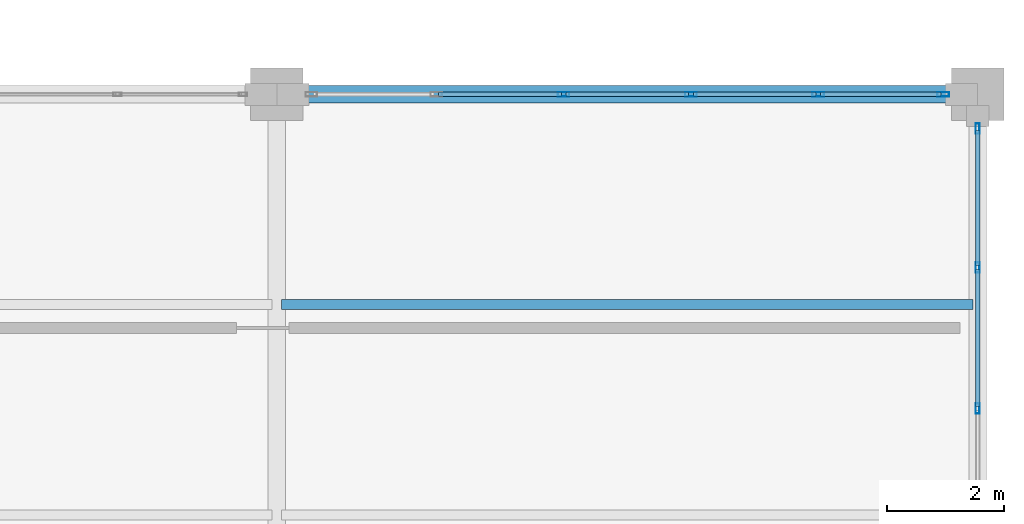
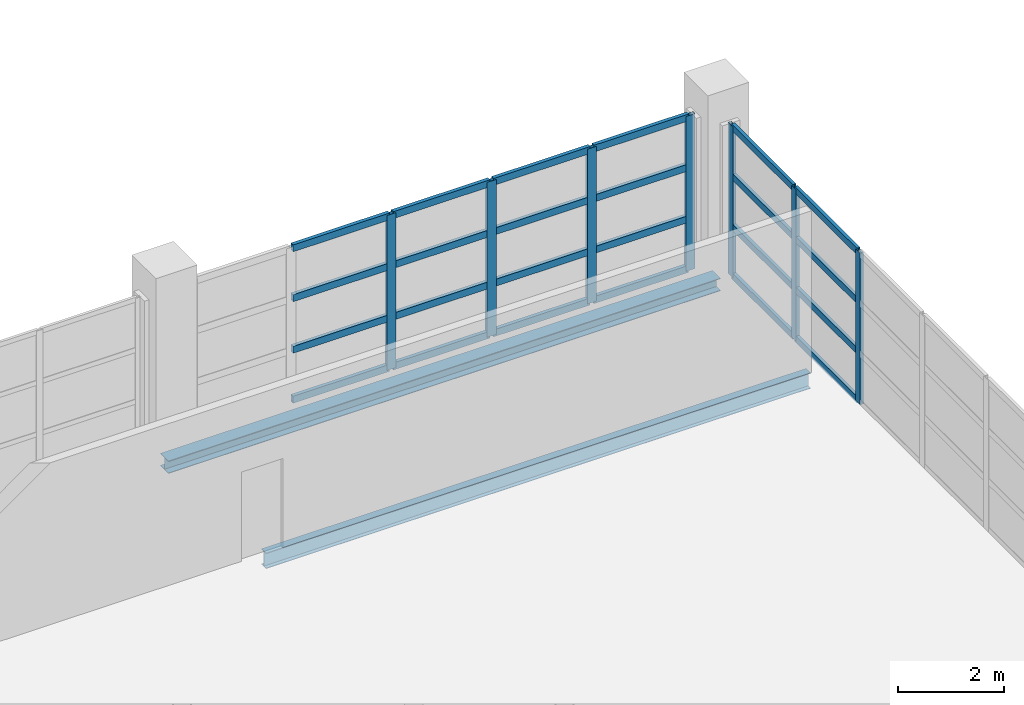
# One storey, part 95 of 158: 31 members, 2 beams, 2 elements without a shape of their own.
"""IFC4 building model written with IfcOpenShell, lengths in metres."""

from ifc_helpers import new_model, si_unit, direction, frame, origin, origin_2d, place, context, subcontext, project, spatial, hollow_rectangle, i_section, extrude, material, layer, layer_set, material_profile, profile_set, type_object, element, aggregate, save


model = new_model("IFC4")

# Units and contexts
model_context = context("Model", 3, precision=1e-05, world=origin(), true_north=direction((0.0, 1.0)))
body_context = subcontext(model_context, "Body", "Model", "MODEL_VIEW")
ifc_project = project(units=[si_unit("LENGTHUNIT", "METRE"), si_unit("AREAUNIT", "SQUARE_METRE"), si_unit("VOLUMEUNIT", "CUBIC_METRE"), si_unit("PLANEANGLEUNIT", "RADIAN"), si_unit("MASSUNIT", "GRAM", prefix="KILO")], contexts=[model_context])

# Site, building, storey
site_placement = place(None, origin())
site = spatial("IfcSite", under=ifc_project, at=site_placement, CompositionType="ELEMENT")
building_placement = place(site_placement, origin())
building = spatial("IfcBuilding", under=site, at=building_placement, Name="Zilviju Railside Exhibition Hall", CompositionType="ELEMENT")
storey_placement = place(building_placement, frame((0.0, 0.0, 4.199951171875)))
storey = spatial("IfcBuildingStorey", under=building, at=storey_placement, Name="L02", CompositionType="ELEMENT", Elevation=4.199951171875)

# Beams
ifc_material_1 = material(Name="Steel S355J2", Category="steel")
ifc_material_profile_1 = material_profile(ifc_material_1, i_section(OverallWidth=0.300048828125, OverallDepth=0.2900390625, WebThickness=0.008544921875, FlangeThickness=0.013916015625, at=origin_2d()), Name="HEA 300")
ifc_profile_set_1 = profile_set([ifc_material_profile_1], Name="Steel S355J2")
beam_type_1 = type_object("IfcBeamType", Name="BM-HEA300", PredefinedType="SPANDREL", material=ifc_profile_set_1)
beam_1_placement = place(storey_placement, frame((204.0, 54.0, -0.474853515625), z_axis=(1.0, 0.0, 0.0), x_axis=(0.0, 1.0, 0.0)))
element("IfcBeam", 1, at=beam_1_placement, inside=storey, type_object=beam_type_1, Name="Primary Girder L02 Y=54.0 (204.0..216.0)", PredefinedType="SPANDREL", context=body_context, shape_type="SweptSolid", body=[
    extrude(i_section(OverallWidth=0.300048828125, OverallDepth=0.2900390625, WebThickness=0.008544921875, FlangeThickness=0.013916015625, at=origin_2d()), origin(), (0.0, 0.0, 1.0), 12.0),
])
ifc_material_profile_2 = material_profile(ifc_material_1, i_section(OverallWidth=0.169921875, OverallDepth=0.360107421875, WebThickness=0.008056640625, FlangeThickness=0.0126953125, at=origin_2d()), Name="IPE 360")
ifc_profile_set_2 = profile_set([ifc_material_profile_2], Name="Steel S355J2")
beam_type_2 = type_object("IfcBeamType", Name="BM-IPE360", PredefinedType="JOIST", material=ifc_profile_set_2)
beam_2_placement = place(storey_placement, frame((204.080078125, 50.39990234375, -0.510009765625), z_axis=(1.0, 0.0, 0.0), x_axis=(0.0, 1.0, 0.0)))
element("IfcBeam", 2, at=beam_2_placement, inside=storey, type_object=beam_type_2, Name="Composite Floor Joist L02 Y=50.40 (204.0..216.0)", PredefinedType="JOIST", context=body_context, shape_type="SweptSolid", body=[
    extrude(i_section(OverallWidth=0.169921875, OverallDepth=0.360107421875, WebThickness=0.008056640625, FlangeThickness=0.0126953125, at=origin_2d()), origin(), (0.0, 0.0, 1.0), 11.83984375),
])

# Curtain wall, members
ifc_material_2 = material(Name="Thermally broken aluminium-steel triple-glazed curtain wall", Category="steel")
ifc_layer_1 = layer(ifc_material_2, 0.179931640625)
ifc_layer_set_1 = layer_set([ifc_layer_1], Name="Thermally broken aluminium-steel triple-glazed curtain wall")
curtain_wall_type_1 = type_object("IfcCurtainWallType", Name="CW-BAY-11", PredefinedType="USERDEFINED", material=ifc_layer_set_1)
curtain_wall_1_placement = place(storey_placement, origin())
curtain_wall_1 = element("IfcCurtainWall", 3, at=curtain_wall_1_placement, inside=storey, type_object=curtain_wall_type_1, Name="South Hall East Glazed Gable L02 (36..54)", ObjectType="GLAZED CURTAIN WALL", PredefinedType="USERDEFINED")
ifc_material_3 = material(Name="Thermally broken anodized aluminium mullion", Category="aluminium")
ifc_material_profile_3 = material_profile(ifc_material_3, hollow_rectangle(XDim=0.070068359375, YDim=0.179931640625, WallThickness=0.0048828125, at=origin_2d()), Name="MULLION 180x70x5")
ifc_profile_set_3 = profile_set([ifc_material_profile_3], Name="Thermally broken anodized aluminium mullion")
member_type_1 = type_object("IfcMemberType", Name="CWM-70x180", PredefinedType="MULLION", material=ifc_profile_set_3)
member_1_placement = place(storey_placement, frame((216.0, 53.4150390625, 0.0), z_axis=(0.0, 0.0, 1.0), x_axis=(1.0, 0.0, 0.0)))
member_1 = element("IfcMember", 4, at=member_1_placement, type_object=member_type_1, Name="CW-11 mullion 1", PredefinedType="MULLION", context=body_context, shape_type="SweptSolid", body=[
    extrude(hollow_rectangle(XDim=0.070068359375, YDim=0.179931640625, WallThickness=0.0048828125, at=origin_2d()), origin(), (0.0, 0.0, 1.0), 3.47998046875),
])
member_2_placement = place(storey_placement, frame((216.0, 51.03564453125, 0.0), z_axis=(0.0, 0.0, 1.0), x_axis=(1.0, 0.0, 0.0)))
member_2 = element("IfcMember", 5, at=member_2_placement, type_object=member_type_1, Name="CW-11 mullion 2", PredefinedType="MULLION", context=body_context, shape_type="SweptSolid", body=[
    extrude(hollow_rectangle(XDim=0.070068359375, YDim=0.179931640625, WallThickness=0.0048828125, at=origin_2d()), origin(), (0.0, 0.0, 1.0), 3.47998046875),
])
member_3_placement = place(storey_placement, frame((216.0, 48.621337890625, 0.0), z_axis=(0.0, 0.0, 1.0), x_axis=(1.0, 0.0, 0.0)))
member_3 = element("IfcMember", 6, at=member_3_placement, type_object=member_type_1, Name="CW-11 mullion 3", PredefinedType="MULLION", context=body_context, shape_type="SweptSolid", body=[
    extrude(hollow_rectangle(XDim=0.070068359375, YDim=0.179931640625, WallThickness=0.0048828125, at=origin_2d()), origin(), (0.0, 0.0, 1.0), 3.47998046875),
])

ifc_layer_2 = layer(ifc_material_2, 0.179931640625)
ifc_layer_set_2 = layer_set([ifc_layer_2], Name="Thermally broken aluminium-steel triple-glazed curtain wall")
curtain_wall_type_2 = type_object("IfcCurtainWallType", Name="CW-BAY-08", PredefinedType="USERDEFINED", material=ifc_layer_set_2)
curtain_wall_2_placement = place(storey_placement, origin())
curtain_wall_2 = element("IfcCurtainWall", 7, at=curtain_wall_2_placement, inside=storey, type_object=curtain_wall_type_2, Name="South Hall Garden Court Curtain Wall L02 (204..216)", ObjectType="GLAZED CURTAIN WALL", PredefinedType="USERDEFINED")
ifc_material_profile_4 = material_profile(ifc_material_3, hollow_rectangle(XDim=0.080078125, YDim=0.199951171875, WallThickness=0.0048828125, at=origin_2d()), Name="MULLION 200x80x5")
ifc_profile_set_4 = profile_set([ifc_material_profile_4], Name="Thermally broken anodized aluminium mullion")
member_type_2 = type_object("IfcMemberType", Name="CWM-80x200", PredefinedType="MULLION", material=ifc_profile_set_4)
member_4_placement = place(storey_placement, frame((208.909912109375, 54.0, 0.0), z_axis=(0.0, 0.0, 1.0), x_axis=(0.0, 1.0, 0.0)))
member_4 = element("IfcMember", 8, at=member_4_placement, type_object=member_type_2, Name="CW-08 mullion 3", PredefinedType="MULLION", context=body_context, shape_type="SweptSolid", body=[
    extrude(hollow_rectangle(XDim=0.080078125, YDim=0.199951171875, WallThickness=0.0048828125, at=origin_2d()), origin(), (0.0, 0.0, 1.0), 3.56005859375),
])
member_5_placement = place(storey_placement, frame((211.090087890625, 54.0, 0.0), z_axis=(0.0, 0.0, 1.0), x_axis=(0.0, 1.0, 0.0)))
member_5 = element("IfcMember", 9, at=member_5_placement, type_object=member_type_2, Name="CW-08 mullion 4", PredefinedType="MULLION", context=body_context, shape_type="SweptSolid", body=[
    extrude(hollow_rectangle(XDim=0.080078125, YDim=0.199951171875, WallThickness=0.0048828125, at=origin_2d()), origin(), (0.0, 0.0, 1.0), 3.56005859375),
])
member_6_placement = place(storey_placement, frame((213.27001953125, 54.0, 0.0), z_axis=(0.0, 0.0, 1.0), x_axis=(0.0, 1.0, 0.0)))
member_6 = element("IfcMember", 10, at=member_6_placement, type_object=member_type_2, Name="CW-08 mullion 5", PredefinedType="MULLION", context=body_context, shape_type="SweptSolid", body=[
    extrude(hollow_rectangle(XDim=0.080078125, YDim=0.199951171875, WallThickness=0.0048828125, at=origin_2d()), origin(), (0.0, 0.0, 1.0), 3.56005859375),
])
member_7_placement = place(storey_placement, frame((215.409912109375, 54.0, 0.0), z_axis=(0.0, 0.0, 1.0), x_axis=(0.0, 1.0, 0.0)))
member_7 = element("IfcMember", 11, at=member_7_placement, type_object=member_type_2, Name="CW-08 mullion 6", PredefinedType="MULLION", context=body_context, shape_type="SweptSolid", body=[
    extrude(hollow_rectangle(XDim=0.080078125, YDim=0.199951171875, WallThickness=0.0048828125, at=origin_2d()), origin(), (0.0, 0.0, 1.0), 3.56005859375),
])

# Member
ifc_material_4 = material(Name="Thermally broken anodized aluminium transom", Category="aluminium")
ifc_material_profile_5 = material_profile(ifc_material_4, hollow_rectangle(XDim=0.070068359375, YDim=0.14990234375, WallThickness=0.0048828125, at=origin_2d()), Name="TRANSOM 150x70x5")
ifc_profile_set_5 = profile_set([ifc_material_profile_5], Name="Thermally broken anodized aluminium transom")
member_type_3 = type_object("IfcMemberType", Name="CWT-70x150", PredefinedType="USERDEFINED", material=ifc_profile_set_5)
member_8_placement = place(storey_placement, frame((216.0, 53.3798828125, 0.03515625), z_axis=(0.0, -1.0, 0.0), x_axis=(1.0, 0.0, 0.0)))
member_8 = element("IfcMember", 12, at=member_8_placement, type_object=member_type_3, Name="CW-11 transom 1.1", ObjectType="TRANSOM", PredefinedType="USERDEFINED", context=body_context, shape_type="SweptSolid", body=[
    extrude(hollow_rectangle(XDim=0.070068359375, YDim=0.14990234375, WallThickness=0.0048828125, at=origin_2d()), origin(), (0.0, 0.0, 1.0), 2.30908203125),
])

member_9_placement = place(storey_placement, frame((216.0, 53.3798828125, 1.16015625), z_axis=(0.0, -1.0, 0.0), x_axis=(1.0, 0.0, 0.0)))
member_9 = element("IfcMember", 13, at=member_9_placement, type_object=member_type_3, Name="CW-11 transom 1.2", ObjectType="TRANSOM", PredefinedType="USERDEFINED", context=body_context, shape_type="SweptSolid", body=[
    extrude(hollow_rectangle(XDim=0.070068359375, YDim=0.14990234375, WallThickness=0.0048828125, at=origin_2d()), origin(), (0.0, 0.0, 1.0), 2.30908203125),
])

member_10_placement = place(storey_placement, frame((216.0, 53.3798828125, 2.320068359375), z_axis=(0.0, -1.0, 0.0), x_axis=(1.0, 0.0, 0.0)))
member_10 = element("IfcMember", 14, at=member_10_placement, type_object=member_type_3, Name="CW-11 transom 1.3", ObjectType="TRANSOM", PredefinedType="USERDEFINED", context=body_context, shape_type="SweptSolid", body=[
    extrude(hollow_rectangle(XDim=0.070068359375, YDim=0.14990234375, WallThickness=0.0048828125, at=origin_2d()), origin(), (0.0, 0.0, 1.0), 2.30908203125),
])

member_11_placement = place(storey_placement, frame((216.0, 53.3798828125, 3.445068359375), z_axis=(0.0, -1.0, 0.0), x_axis=(1.0, 0.0, 0.0)))
member_11 = element("IfcMember", 15, at=member_11_placement, type_object=member_type_3, Name="CW-11 transom 1.4", ObjectType="TRANSOM", PredefinedType="USERDEFINED", context=body_context, shape_type="SweptSolid", body=[
    extrude(hollow_rectangle(XDim=0.070068359375, YDim=0.14990234375, WallThickness=0.0048828125, at=origin_2d()), origin(), (0.0, 0.0, 1.0), 2.30908203125),
])

member_12_placement = place(storey_placement, frame((216.0, 51.000732421875, 0.03515625), z_axis=(0.0, -1.0, 0.0), x_axis=(1.0, 0.0, 0.0)))
member_12 = element("IfcMember", 16, at=member_12_placement, type_object=member_type_3, Name="CW-11 transom 2.1", ObjectType="TRANSOM", PredefinedType="USERDEFINED", context=body_context, shape_type="SweptSolid", body=[
    extrude(hollow_rectangle(XDim=0.070068359375, YDim=0.14990234375, WallThickness=0.0048828125, at=origin_2d()), origin(), (0.0, 0.0, 1.0), 2.34423828125),
])

member_13_placement = place(storey_placement, frame((216.0, 51.000732421875, 1.16015625), z_axis=(0.0, -1.0, 0.0), x_axis=(1.0, 0.0, 0.0)))
member_13 = element("IfcMember", 17, at=member_13_placement, type_object=member_type_3, Name="CW-11 transom 2.2", ObjectType="TRANSOM", PredefinedType="USERDEFINED", context=body_context, shape_type="SweptSolid", body=[
    extrude(hollow_rectangle(XDim=0.070068359375, YDim=0.14990234375, WallThickness=0.0048828125, at=origin_2d()), origin(), (0.0, 0.0, 1.0), 2.34423828125),
])

member_14_placement = place(storey_placement, frame((216.0, 51.000732421875, 2.320068359375), z_axis=(0.0, -1.0, 0.0), x_axis=(1.0, 0.0, 0.0)))
member_14 = element("IfcMember", 18, at=member_14_placement, type_object=member_type_3, Name="CW-11 transom 2.3", ObjectType="TRANSOM", PredefinedType="USERDEFINED", context=body_context, shape_type="SweptSolid", body=[
    extrude(hollow_rectangle(XDim=0.070068359375, YDim=0.14990234375, WallThickness=0.0048828125, at=origin_2d()), origin(), (0.0, 0.0, 1.0), 2.34423828125),
])

member_15_placement = place(storey_placement, frame((216.0, 51.000732421875, 3.445068359375), z_axis=(0.0, -1.0, 0.0), x_axis=(1.0, 0.0, 0.0)))
member_15 = element("IfcMember", 19, at=member_15_placement, type_object=member_type_3, Name="CW-11 transom 2.4", ObjectType="TRANSOM", PredefinedType="USERDEFINED", context=body_context, shape_type="SweptSolid", body=[
    extrude(hollow_rectangle(XDim=0.070068359375, YDim=0.14990234375, WallThickness=0.0048828125, at=origin_2d()), origin(), (0.0, 0.0, 1.0), 2.34423828125),
])

aggregate(curtain_wall_1, [member_1, member_2, member_3, member_8, member_9, member_10, member_11, member_12, member_13, member_14, member_15])

ifc_material_profile_6 = material_profile(ifc_material_4, hollow_rectangle(XDim=0.080078125, YDim=0.159912109375, WallThickness=0.0048828125, at=origin_2d()), Name="TRANSOM 160x80x5")
ifc_profile_set_6 = profile_set([ifc_material_profile_6], Name="Thermally broken anodized aluminium transom")
member_type_4 = type_object("IfcMemberType", Name="CWT-80x160", PredefinedType="USERDEFINED", material=ifc_profile_set_6)
member_16_placement = place(storey_placement, frame((206.77001953125, 54.0, 0.0400390625), z_axis=(1.0, 0.0, 0.0), x_axis=(0.0, 1.0, 0.0)))
member_16 = element("IfcMember", 20, at=member_16_placement, type_object=member_type_4, Name="CW-08 transom 2.1", ObjectType="TRANSOM", PredefinedType="USERDEFINED", context=body_context, shape_type="SweptSolid", body=[
    extrude(hollow_rectangle(XDim=0.080078125, YDim=0.159912109375, WallThickness=0.0048828125, at=origin_2d()), origin(), (0.0, 0.0, 1.0), 2.10009765625),
])

member_17_placement = place(storey_placement, frame((206.77001953125, 54.0, 1.18701171875), z_axis=(1.0, 0.0, 0.0), x_axis=(0.0, 1.0, 0.0)))
member_17 = element("IfcMember", 21, at=member_17_placement, type_object=member_type_4, Name="CW-08 transom 2.2", ObjectType="TRANSOM", PredefinedType="USERDEFINED", context=body_context, shape_type="SweptSolid", body=[
    extrude(hollow_rectangle(XDim=0.080078125, YDim=0.159912109375, WallThickness=0.0048828125, at=origin_2d()), origin(), (0.0, 0.0, 1.0), 2.10009765625),
])

member_18_placement = place(storey_placement, frame((206.77001953125, 54.0, 2.373046875), z_axis=(1.0, 0.0, 0.0), x_axis=(0.0, 1.0, 0.0)))
member_18 = element("IfcMember", 22, at=member_18_placement, type_object=member_type_4, Name="CW-08 transom 2.3", ObjectType="TRANSOM", PredefinedType="USERDEFINED", context=body_context, shape_type="SweptSolid", body=[
    extrude(hollow_rectangle(XDim=0.080078125, YDim=0.159912109375, WallThickness=0.0048828125, at=origin_2d()), origin(), (0.0, 0.0, 1.0), 2.10009765625),
])

member_19_placement = place(storey_placement, frame((206.77001953125, 54.0, 3.52001953125), z_axis=(1.0, 0.0, 0.0), x_axis=(0.0, 1.0, 0.0)))
member_19 = element("IfcMember", 23, at=member_19_placement, type_object=member_type_4, Name="CW-08 transom 2.4", ObjectType="TRANSOM", PredefinedType="USERDEFINED", context=body_context, shape_type="SweptSolid", body=[
    extrude(hollow_rectangle(XDim=0.080078125, YDim=0.159912109375, WallThickness=0.0048828125, at=origin_2d()), origin(), (0.0, 0.0, 1.0), 2.10009765625),
])

member_20_placement = place(storey_placement, frame((208.949951171875, 54.0, 0.0400390625), z_axis=(1.0, 0.0, 0.0), x_axis=(0.0, 1.0, 0.0)))
member_20 = element("IfcMember", 24, at=member_20_placement, type_object=member_type_4, Name="CW-08 transom 3.1", ObjectType="TRANSOM", PredefinedType="USERDEFINED", context=body_context, shape_type="SweptSolid", body=[
    extrude(hollow_rectangle(XDim=0.080078125, YDim=0.159912109375, WallThickness=0.0048828125, at=origin_2d()), origin(), (0.0, 0.0, 1.0), 2.10009765625),
])

member_21_placement = place(storey_placement, frame((208.949951171875, 54.0, 1.18701171875), z_axis=(1.0, 0.0, 0.0), x_axis=(0.0, 1.0, 0.0)))
member_21 = element("IfcMember", 25, at=member_21_placement, type_object=member_type_4, Name="CW-08 transom 3.2", ObjectType="TRANSOM", PredefinedType="USERDEFINED", context=body_context, shape_type="SweptSolid", body=[
    extrude(hollow_rectangle(XDim=0.080078125, YDim=0.159912109375, WallThickness=0.0048828125, at=origin_2d()), origin(), (0.0, 0.0, 1.0), 2.10009765625),
])

member_22_placement = place(storey_placement, frame((208.949951171875, 54.0, 2.373046875), z_axis=(1.0, 0.0, 0.0), x_axis=(0.0, 1.0, 0.0)))
member_22 = element("IfcMember", 26, at=member_22_placement, type_object=member_type_4, Name="CW-08 transom 3.3", ObjectType="TRANSOM", PredefinedType="USERDEFINED", context=body_context, shape_type="SweptSolid", body=[
    extrude(hollow_rectangle(XDim=0.080078125, YDim=0.159912109375, WallThickness=0.0048828125, at=origin_2d()), origin(), (0.0, 0.0, 1.0), 2.10009765625),
])

member_23_placement = place(storey_placement, frame((208.949951171875, 54.0, 3.52001953125), z_axis=(1.0, 0.0, 0.0), x_axis=(0.0, 1.0, 0.0)))
member_23 = element("IfcMember", 27, at=member_23_placement, type_object=member_type_4, Name="CW-08 transom 3.4", ObjectType="TRANSOM", PredefinedType="USERDEFINED", context=body_context, shape_type="SweptSolid", body=[
    extrude(hollow_rectangle(XDim=0.080078125, YDim=0.159912109375, WallThickness=0.0048828125, at=origin_2d()), origin(), (0.0, 0.0, 1.0), 2.10009765625),
])

member_24_placement = place(storey_placement, frame((211.1298828125, 54.0, 0.0400390625), z_axis=(1.0, 0.0, 0.0), x_axis=(0.0, 1.0, 0.0)))
member_24 = element("IfcMember", 28, at=member_24_placement, type_object=member_type_4, Name="CW-08 transom 4.1", ObjectType="TRANSOM", PredefinedType="USERDEFINED", context=body_context, shape_type="SweptSolid", body=[
    extrude(hollow_rectangle(XDim=0.080078125, YDim=0.159912109375, WallThickness=0.0048828125, at=origin_2d()), origin(), (0.0, 0.0, 1.0), 2.10009765625),
])

member_25_placement = place(storey_placement, frame((211.1298828125, 54.0, 1.18701171875), z_axis=(1.0, 0.0, 0.0), x_axis=(0.0, 1.0, 0.0)))
member_25 = element("IfcMember", 29, at=member_25_placement, type_object=member_type_4, Name="CW-08 transom 4.2", ObjectType="TRANSOM", PredefinedType="USERDEFINED", context=body_context, shape_type="SweptSolid", body=[
    extrude(hollow_rectangle(XDim=0.080078125, YDim=0.159912109375, WallThickness=0.0048828125, at=origin_2d()), origin(), (0.0, 0.0, 1.0), 2.10009765625),
])

member_26_placement = place(storey_placement, frame((211.1298828125, 54.0, 2.373046875), z_axis=(1.0, 0.0, 0.0), x_axis=(0.0, 1.0, 0.0)))
member_26 = element("IfcMember", 30, at=member_26_placement, type_object=member_type_4, Name="CW-08 transom 4.3", ObjectType="TRANSOM", PredefinedType="USERDEFINED", context=body_context, shape_type="SweptSolid", body=[
    extrude(hollow_rectangle(XDim=0.080078125, YDim=0.159912109375, WallThickness=0.0048828125, at=origin_2d()), origin(), (0.0, 0.0, 1.0), 2.10009765625),
])

member_27_placement = place(storey_placement, frame((211.1298828125, 54.0, 3.52001953125), z_axis=(1.0, 0.0, 0.0), x_axis=(0.0, 1.0, 0.0)))
member_27 = element("IfcMember", 31, at=member_27_placement, type_object=member_type_4, Name="CW-08 transom 4.4", ObjectType="TRANSOM", PredefinedType="USERDEFINED", context=body_context, shape_type="SweptSolid", body=[
    extrude(hollow_rectangle(XDim=0.080078125, YDim=0.159912109375, WallThickness=0.0048828125, at=origin_2d()), origin(), (0.0, 0.0, 1.0), 2.10009765625),
])

member_28_placement = place(storey_placement, frame((213.31005859375, 54.0, 0.0400390625), z_axis=(1.0, 0.0, 0.0), x_axis=(0.0, 1.0, 0.0)))
member_28 = element("IfcMember", 32, at=member_28_placement, type_object=member_type_4, Name="CW-08 transom 5.1", ObjectType="TRANSOM", PredefinedType="USERDEFINED", context=body_context, shape_type="SweptSolid", body=[
    extrude(hollow_rectangle(XDim=0.080078125, YDim=0.159912109375, WallThickness=0.0048828125, at=origin_2d()), origin(), (0.0, 0.0, 1.0), 2.06005859375),
])

member_29_placement = place(storey_placement, frame((213.31005859375, 54.0, 1.18701171875), z_axis=(1.0, 0.0, 0.0), x_axis=(0.0, 1.0, 0.0)))
member_29 = element("IfcMember", 33, at=member_29_placement, type_object=member_type_4, Name="CW-08 transom 5.2", ObjectType="TRANSOM", PredefinedType="USERDEFINED", context=body_context, shape_type="SweptSolid", body=[
    extrude(hollow_rectangle(XDim=0.080078125, YDim=0.159912109375, WallThickness=0.0048828125, at=origin_2d()), origin(), (0.0, 0.0, 1.0), 2.06005859375),
])

member_30_placement = place(storey_placement, frame((213.31005859375, 54.0, 2.373046875), z_axis=(1.0, 0.0, 0.0), x_axis=(0.0, 1.0, 0.0)))
member_30 = element("IfcMember", 34, at=member_30_placement, type_object=member_type_4, Name="CW-08 transom 5.3", ObjectType="TRANSOM", PredefinedType="USERDEFINED", context=body_context, shape_type="SweptSolid", body=[
    extrude(hollow_rectangle(XDim=0.080078125, YDim=0.159912109375, WallThickness=0.0048828125, at=origin_2d()), origin(), (0.0, 0.0, 1.0), 2.06005859375),
])

member_31_placement = place(storey_placement, frame((213.31005859375, 54.0, 3.52001953125), z_axis=(1.0, 0.0, 0.0), x_axis=(0.0, 1.0, 0.0)))
member_31 = element("IfcMember", 35, at=member_31_placement, type_object=member_type_4, Name="CW-08 transom 5.4", ObjectType="TRANSOM", PredefinedType="USERDEFINED", context=body_context, shape_type="SweptSolid", body=[
    extrude(hollow_rectangle(XDim=0.080078125, YDim=0.159912109375, WallThickness=0.0048828125, at=origin_2d()), origin(), (0.0, 0.0, 1.0), 2.06005859375),
])

aggregate(curtain_wall_2, [member_4, member_5, member_6, member_7, member_16, member_17, member_18, member_19, member_20, member_21, member_22, member_23, member_24, member_25, member_26, member_27, member_28, member_29, member_30, member_31])

save(model, "model.ifc")
